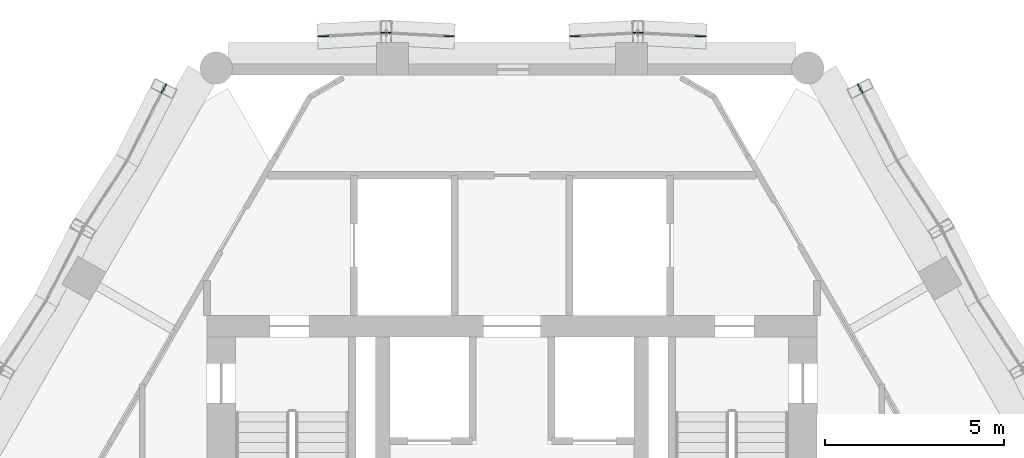
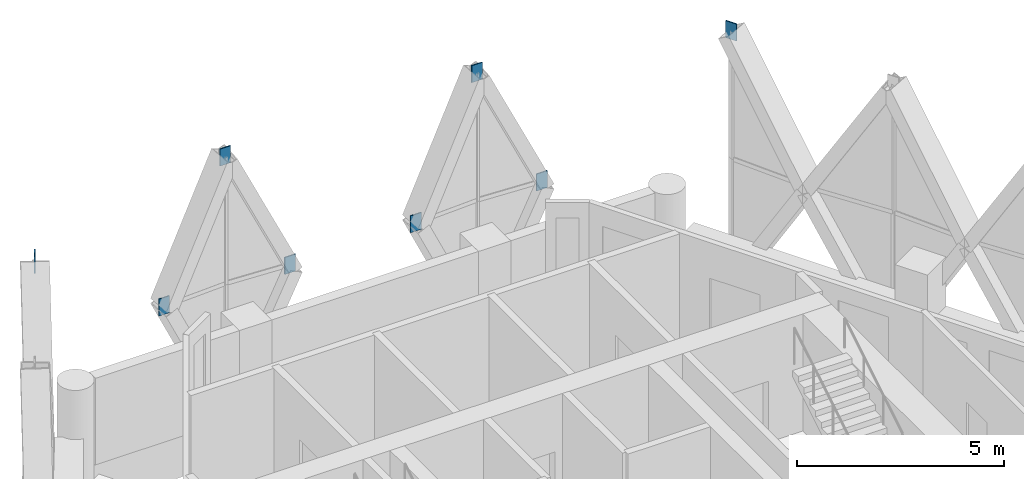
# One storey, part 26 of 27: 8 discrete accessories.
"""IFC4 building model written with IfcOpenShell, lengths in metres."""

from ifc_helpers import new_model, si_unit, direction, frame, origin, origin_2d, place, context, subcontext, project, spatial, rectangle, extrude, material, layer, layer_set, type_object, element, save


model = new_model("IFC4")

# Units and contexts
model_context = context("Model", 3, precision=1e-05, world=origin(), true_north=direction((0.0, 1.0)))
body_context = subcontext(model_context, "Body", "Model", "MODEL_VIEW")
ifc_project = project(units=[si_unit("LENGTHUNIT", "METRE"), si_unit("AREAUNIT", "SQUARE_METRE"), si_unit("VOLUMEUNIT", "CUBIC_METRE"), si_unit("PLANEANGLEUNIT", "RADIAN"), si_unit("MASSUNIT", "GRAM", prefix="KILO")], contexts=[model_context])

# Site, building, storey
site_placement = place(None, origin())
site = spatial("IfcSite", under=ifc_project, at=site_placement, CompositionType="ELEMENT")
building_placement = place(site_placement, origin())
building = spatial("IfcBuilding", under=site, at=building_placement, Name="Ostrander Bayou Hotel Tower", CompositionType="ELEMENT")
storey_placement = place(building_placement, frame((0.0, 0.0, 267.5)))
storey = spatial("IfcBuildingStorey", under=building, at=storey_placement, Name="L66", CompositionType="ELEMENT", Elevation=267.5)

# Discrete accessories
ifc_material = material(Name="Steel ASTM A572 Gr 50", Category="steel")
ifc_layer = layer(ifc_material, 0.030029296875)
ifc_layer_set = layer_set([ifc_layer], Name="GP1 gusset plate 30 mm")
discrete_accessory_type = type_object("IfcDiscreteAccessoryType", Name="GP1 gusset plate 30 mm", PredefinedType="BRACKET", material=ifc_layer_set)
for number, where, z_axis, x_axis, name in (
    (1, (5.262939453125, 17.47802734375, 2.89990234375), (0.0, 0.0, 1.0), (-1.0, 0.0, 0.0), "GP1 gusset plate lat 506"),
    (2, (3.508544921875, 17.570068359375, 6.64990234375), (0.0, 0.0, 1.0), (-1.0, 0.0, 0.0), "GP1 gusset plate lat 507"),
    (3, (1.75439453125, 17.47802734375, 2.89990234375), (0.0, 0.0, 1.0), (-1.0, 0.0, 0.0), "GP1 gusset plate lat 508"),
    (4, (-1.75439453125, 17.47802734375, 2.89990234375), (0.0, 0.0, 1.0), (-1.0, 0.0, 0.0), "GP1 gusset plate lat 509"),
    (5, (-3.508544921875, 17.570068359375, 6.64990234375), (0.0, 0.0, 1.0), (-1.0, 0.0, 0.0), "GP1 gusset plate lat 510"),
    (6, (-5.262939453125, 17.47802734375, 2.89990234375), (0.0, 0.0, 1.0), (-1.0, 0.0, 0.0), "GP1 gusset plate lat 511"),
    (7, (-9.704345703125, 16.0185546875, 6.64990234375), (0.0, 0.0, 1.0), (-0.5, -0.866025403784, 0.0), "GP1 gusset plate lat 513"),
    (8, (9.704345703125, 16.0185546875, 6.64990234375), (0.0, 0.0, 1.0), (-0.5, 0.866025403784, 0.0), "GP1 gusset plate lat 556"),
):
    element("IfcDiscreteAccessory", number, at=place(storey_placement, frame(where, z_axis=z_axis, x_axis=x_axis)), inside=storey, type_object=discrete_accessory_type, Name=name, PredefinedType="BRACKET", context=body_context, shape_type="SweptSolid", body=[
        extrude(rectangle(XDim=0.300048828125, YDim=0.030029296875, at=origin_2d()), origin(), (0.0, 0.0, 1.0), 0.5),
    ])

save(model, "model.ifc")
